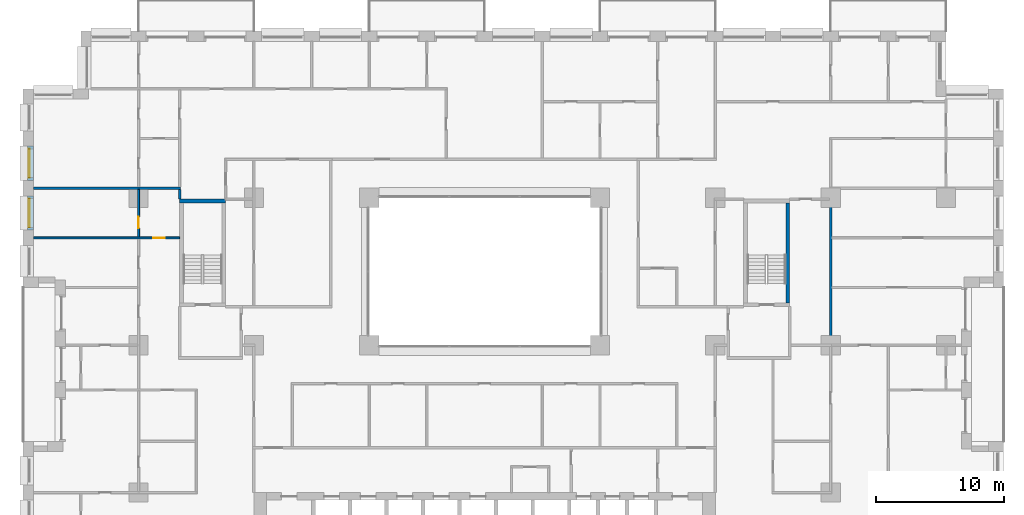
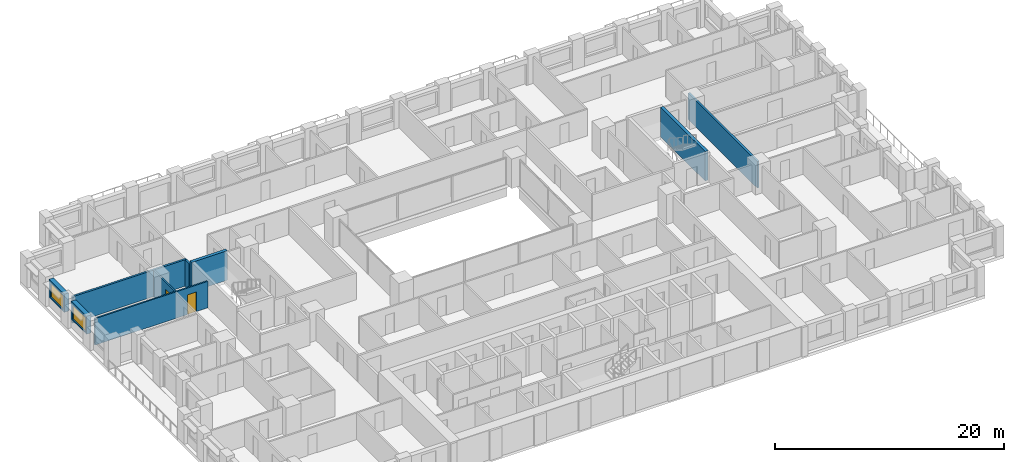
# One storey, part 13 of 20: 9 walls, 2 doors, 2 windows, 4 openings.
"""IFC4 building model written with IfcOpenShell, lengths in metres."""

from ifc_helpers import new_model, si_unit, direction, frame, frame_2d, origin, place, context, subcontext, project, spatial, rectangle, extrude, material, layer, layer_set, type_object, element, fill, save


model = new_model("IFC4")

# Units and contexts
model_context = context("Model", 3, precision=1e-05, world=origin(), true_north=direction((0.0, 1.0)))
body_context = subcontext(model_context, "Body", "Model", "MODEL_VIEW")
ifc_project = project(units=[si_unit("LENGTHUNIT", "METRE"), si_unit("AREAUNIT", "SQUARE_METRE"), si_unit("VOLUMEUNIT", "CUBIC_METRE"), si_unit("PLANEANGLEUNIT", "RADIAN"), si_unit("MASSUNIT", "GRAM", prefix="KILO")], contexts=[model_context])

# Site, building, storey
site_placement = place(None, origin())
site = spatial("IfcSite", under=ifc_project, at=site_placement, CompositionType="ELEMENT")
building_placement = place(site_placement, origin())
building = spatial("IfcBuilding", under=site, at=building_placement, Name="Brigalow Station Residences", CompositionType="ELEMENT")
storey_placement = place(building_placement, frame((0.0, 0.0, 38.39990234375)))
storey = spatial("IfcBuildingStorey", under=building, at=storey_placement, Name="L10", CompositionType="ELEMENT", Elevation=38.39990234375)

# Wall, opening, window
ifc_material_1 = material(Name="Clay brick masonry", Category="masonry")
ifc_layer_1 = layer(ifc_material_1, 0.449951171875)
ifc_layer_set_1 = layer_set([ifc_layer_1], Name="BRICK INFILL WALL 450")
wall_type_1 = type_object("IfcWallType", Name="BRICK INFILL WALL 450", PredefinedType="SOLIDWALL", material=ifc_layer_set_1)
wall_1_placement = place(storey_placement, frame((0.574951171875, 39.52490234375, 0.900146484375), z_axis=(0.0, 0.0, 1.0), x_axis=(0.0, -1.0, 0.0)))
wall_1 = element("IfcWall", 1, at=wall_1_placement, inside=storey, type_object=wall_type_1, Name="L10/ewall/W-L10-43", PredefinedType="SOLIDWALL", context=body_context, shape_type="SweptSolid", body=[
    extrude(rectangle(XDim=2.6748046875, YDim=0.449951171875, at=frame_2d((1.33740234375, 0.0))), origin(), (0.0, 0.0, 1.0), 1.929931640625),
])
opening_1_placement = place(wall_1_placement, frame((0.21240234375, 0.0, 0.14990234375)))
opening_1 = element("IfcOpeningElement", 2, at=opening_1_placement, cuts=wall_1, Name="Opening WT-6", PredefinedType="OPENING", context=body_context, shape_type="SweptSolid", body=[
    extrude(rectangle(XDim=2.25, YDim=1.5, at=frame_2d((1.125, 0.75))), frame((0.0, 0.23486328125, 0.0), z_axis=(0.0, -1.0, 0.0), x_axis=(1.0, 0.0, 0.0)), (0.0, 0.0, 1.0), 0.469970703125),
])
ifc_material_2 = material(Name="Anodised aluminium frame with double glazing", Category="aluminium")
window_type = type_object("IfcWindowType", Name="WINDOW 2250x1500", PartitioningType="SINGLE_PANEL", PredefinedType="WINDOW", material=ifc_material_2)
window_1_placement = place(opening_1_placement, origin())
window_1 = element("IfcWindow", 3, at=window_1_placement, inside=storey, type_object=window_type, Name="L10/window/W-L10-43", OverallHeight=1.5, OverallWidth=2.25, PartitioningType="SINGLE_PANEL", PredefinedType="WINDOW", context=body_context, shape_type="SweptSolid", body=[
    extrude(rectangle(XDim=2.25, YDim=1.5, at=frame_2d((1.125, 0.75))), frame((0.0, -0.06494140625, 0.0), z_axis=(0.0, -1.0, 0.0), x_axis=(1.0, 0.0, 0.0)), (0.0, 0.0, 1.0), 0.06005859375),
])
fill(opening_1, window_1)

wall_2_placement = place(storey_placement, frame((0.574951171875, 35.64990234375, 0.900146484375), z_axis=(0.0, 0.0, 1.0), x_axis=(0.0, -1.0, 0.0)))
wall_2 = element("IfcWall", 4, at=wall_2_placement, inside=storey, type_object=wall_type_1, Name="L10/ewall/W-L10-44", PredefinedType="SOLIDWALL", context=body_context, shape_type="SweptSolid", body=[
    extrude(rectangle(XDim=2.6748046875, YDim=0.449951171875, at=frame_2d((1.33740234375, 0.0))), origin(), (0.0, 0.0, 1.0), 1.929931640625),
])
opening_2_placement = place(wall_2_placement, frame((0.21240234375, 0.0, 0.14990234375)))
opening_2 = element("IfcOpeningElement", 5, at=opening_2_placement, cuts=wall_2, Name="Opening WT-6", PredefinedType="OPENING", context=body_context, shape_type="SweptSolid", body=[
    extrude(rectangle(XDim=2.25, YDim=1.5, at=frame_2d((1.125, 0.75))), frame((0.0, 0.23486328125, 0.0), z_axis=(0.0, -1.0, 0.0), x_axis=(1.0, 0.0, 0.0)), (0.0, 0.0, 1.0), 0.469970703125),
])
window_2_placement = place(opening_2_placement, origin())
window_2 = element("IfcWindow", 6, at=window_2_placement, inside=storey, type_object=window_type, Name="L10/window/W-L10-44", OverallHeight=1.5, OverallWidth=2.25, PartitioningType="SINGLE_PANEL", PredefinedType="WINDOW", context=body_context, shape_type="SweptSolid", body=[
    extrude(rectangle(XDim=2.25, YDim=1.5, at=frame_2d((1.125, 0.75))), frame((0.0, -0.06494140625, 0.0), z_axis=(0.0, -1.0, 0.0), x_axis=(1.0, 0.0, 0.0)), (0.0, 0.0, 1.0), 0.06005859375),
])
fill(opening_2, window_2)

# Walls
ifc_material_3 = material(Name="Concrete C80", Category="concrete")
ifc_layer_2 = layer(ifc_material_3, 0.300048828125)
ifc_layer_set_2 = layer_set([ifc_layer_2], Name="CORE SHEAR WALL 300 C80")
wall_type_2 = type_object("IfcWallType", Name="CORE SHEAR WALL 300 C80", PredefinedType="SHEAR", material=ifc_layer_set_2)
wall_3_placement = place(storey_placement, frame((12.199951171875, 35.25, 0.0), z_axis=(0.0, 0.0, 1.0), x_axis=(1.0, 0.0, 0.0)))
element("IfcWall", 7, at=wall_3_placement, inside=storey, type_object=wall_type_2, Name="CORE WALL ST-S1-N L10", PredefinedType="SHEAR", context=body_context, shape_type="SweptSolid", body=[
    extrude(rectangle(XDim=3.60009765625, YDim=0.300048828125, at=frame_2d((1.800048828125, 0.0))), origin(), (0.0, 0.0, 1.0), 3.150146484375),
])
wall_4_placement = place(storey_placement, frame((59.64990234375, 27.300048828125, 0.0), z_axis=(0.0, 0.0, 1.0), x_axis=(0.0, 1.0, 0.0)))
element("IfcWall", 8, at=wall_4_placement, inside=storey, type_object=wall_type_2, Name="CORE WALL ST-S3-E L10", PredefinedType="SHEAR", context=body_context, shape_type="SweptSolid", body=[
    extrude(rectangle(XDim=7.800048828125, YDim=0.300048828125, at=frame_2d((3.89990234375, 0.0))), origin(), (0.0, 0.0, 1.0), 3.150146484375),
])

# Wall, opening, door
ifc_material_4 = material(Name="Plasterboard on steel stud partition", Category="steel")
ifc_layer_3 = layer(ifc_material_4, 0.14990234375)
ifc_layer_set_3 = layer_set([ifc_layer_3], Name="FLAT PARTITION 150")
wall_type_3 = type_object("IfcWallType", Name="FLAT PARTITION 150", PredefinedType="PARTITIONING", material=ifc_layer_set_3)
wall_5_placement = place(storey_placement, frame((0.800048828125, 32.375, 0.0), z_axis=(0.0, 0.0, 1.0), x_axis=(1.0, 0.0, 0.0)))
wall_5 = element("IfcWall", 9, at=wall_5_placement, inside=storey, type_object=wall_type_3, Name="PW-1C19", PredefinedType="PARTITIONING", context=body_context, shape_type="SweptSolid", body=[
    extrude(rectangle(XDim=11.39990234375, YDim=0.14990234375, at=frame_2d((5.699951171875, 0.0))), origin(), (0.0, 0.0, 1.0), 2.830078125),
])
opening_3_placement = place(wall_5_placement, frame((9.35009765625, 0.0, 0.0)))
opening_3 = element("IfcOpeningElement", 10, at=opening_3_placement, cuts=wall_5, Name="Opening D-1C13", PredefinedType="OPENING", context=body_context, shape_type="SweptSolid", body=[
    extrude(rectangle(XDim=0.89990234375, YDim=2.10009765625, at=frame_2d((0.449951171875, 1.050048828125))), frame((0.0, 0.0849609375, 0.0), z_axis=(0.0, -1.0, 0.0), x_axis=(1.0, 0.0, 0.0)), (0.0, 0.0, 1.0), 0.169921875),
])
ifc_material_5 = material(Name="Solid-core timber door leaf", Category="wood")
door_type = type_object("IfcDoorType", Name="INTERNAL DOOR 900 x 2100", OperationType="SINGLE_SWING_LEFT", PredefinedType="DOOR", material=ifc_material_5)
door_1_placement = place(opening_3_placement, origin())
door_1 = element("IfcDoor", 11, at=door_1_placement, inside=storey, type_object=door_type, Name="D-1C13", OperationType="SINGLE_SWING_LEFT", OverallHeight=2.10009765625, OverallWidth=0.89990234375, PredefinedType="DOOR", context=body_context, shape_type="SweptSolid", body=[
    extrude(rectangle(XDim=0.89990234375, YDim=2.10009765625, at=frame_2d((0.449951171875, 1.050048828125))), frame((0.0, 0.02490234375, 0.0), z_axis=(0.0, -1.0, 0.0), x_axis=(1.0, 0.0, 0.0)), (0.0, 0.0, 1.0), 0.050048828125),
])
fill(opening_3, door_1)

wall_6_placement = place(storey_placement, frame((9.0, 32.449951171875, 0.0), z_axis=(0.0, 0.0, 1.0), x_axis=(0.0, 1.0, 0.0)))
wall_6 = element("IfcWall", 12, at=wall_6_placement, inside=storey, type_object=wall_type_3, Name="PW-1C55", PredefinedType="PARTITIONING", context=body_context, shape_type="SweptSolid", body=[
    extrude(rectangle(XDim=3.699951171875, YDim=0.14990234375, at=frame_2d((1.85009765625, 0.0))), origin(), (0.0, 0.0, 1.0), 2.830078125),
])
opening_4_placement = place(wall_6_placement, frame((0.662109375, 0.0, 0.0)))
opening_4 = element("IfcOpeningElement", 13, at=opening_4_placement, cuts=wall_6, Name="Opening D-1C16", PredefinedType="OPENING", context=body_context, shape_type="SweptSolid", body=[
    extrude(rectangle(XDim=0.89990234375, YDim=2.10009765625, at=frame_2d((0.449951171875, 1.050048828125))), frame((0.0, 0.0849609375, 0.0), z_axis=(0.0, -1.0, 0.0), x_axis=(1.0, 0.0, 0.0)), (0.0, 0.0, 1.0), 0.169921875),
])
door_2_placement = place(opening_4_placement, frame((0.89990234375, 0.0, 0.0), z_axis=(0.0, 0.0, 1.0), x_axis=(-1.0, 0.0, 0.0)))
door_2 = element("IfcDoor", 14, at=door_2_placement, inside=storey, type_object=door_type, Name="D-1C16", OperationType="SINGLE_SWING_RIGHT", OverallHeight=2.10009765625, OverallWidth=0.89990234375, PredefinedType="DOOR", context=body_context, shape_type="SweptSolid", body=[
    extrude(rectangle(XDim=0.89990234375, YDim=2.10009765625, at=frame_2d((0.449951171875, 1.050048828125))), frame((0.0, 0.02490234375, 0.0), z_axis=(0.0, -1.0, 0.0), x_axis=(1.0, 0.0, 0.0)), (0.0, 0.0, 1.0), 0.050048828125),
])
fill(opening_4, door_2)

# Walls
ifc_material_6 = material(Name="Plasterboard on steel stud partition", Category="steel")
ifc_layer_4 = layer(ifc_material_6, 0.199951171875)
ifc_layer_set_4 = layer_set([ifc_layer_4], Name="PARTY AND CORRIDOR WALL 200")
wall_type_4 = type_object("IfcWallType", Name="PARTY AND CORRIDOR WALL 200", PredefinedType="PARTITIONING", material=ifc_layer_set_4)
wall_7_placement = place(storey_placement, frame((0.800048828125, 36.25, 0.0), z_axis=(0.0, 0.0, 1.0), x_axis=(1.0, 0.0, 0.0)))
element("IfcWall", 15, at=wall_7_placement, inside=storey, type_object=wall_type_4, Name="PW-1C25", PredefinedType="PARTITIONING", context=body_context, shape_type="SweptSolid", body=[
    extrude(rectangle(XDim=11.474853515625, YDim=0.199951171875, at=frame_2d((5.7373046875, 0.0))), origin(), (0.0, 0.0, 1.0), 2.830078125),
])
wall_8_placement = place(storey_placement, frame((12.199951171875, 35.39990234375, 0.0), z_axis=(0.0, 0.0, 1.0), x_axis=(0.0, 1.0, 0.0)))
element("IfcWall", 16, at=wall_8_placement, inside=storey, type_object=wall_type_4, Name="PW-1C59", PredefinedType="PARTITIONING", context=body_context, shape_type="SweptSolid", body=[
    extrude(rectangle(XDim=0.75, YDim=0.199951171875, at=frame_2d((0.375, 0.0))), origin(), (0.0, 0.0, 1.0), 2.830078125),
])
wall_9_placement = place(storey_placement, frame((63.0, 24.074951171875, 0.0), z_axis=(0.0, 0.0, 1.0), x_axis=(0.0, 1.0, 0.0)))
element("IfcWall", 17, at=wall_9_placement, inside=storey, type_object=wall_type_4, Name="PW-1C73", PredefinedType="PARTITIONING", context=body_context, shape_type="SweptSolid", body=[
    extrude(rectangle(XDim=12.074951171875, YDim=0.199951171875, at=frame_2d((6.03759765625, 0.0))), origin(), (0.0, 0.0, 1.0), 2.830078125),
])

save(model, "model.ifc")
